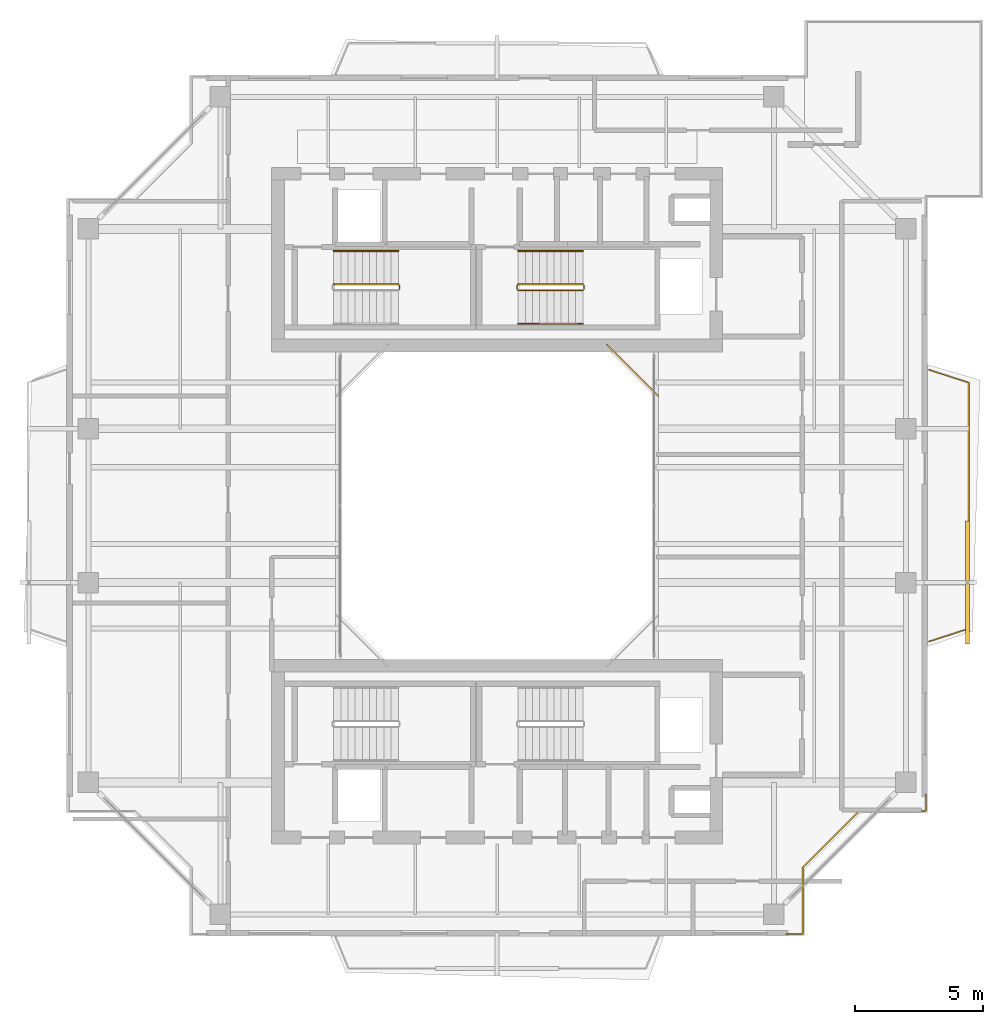
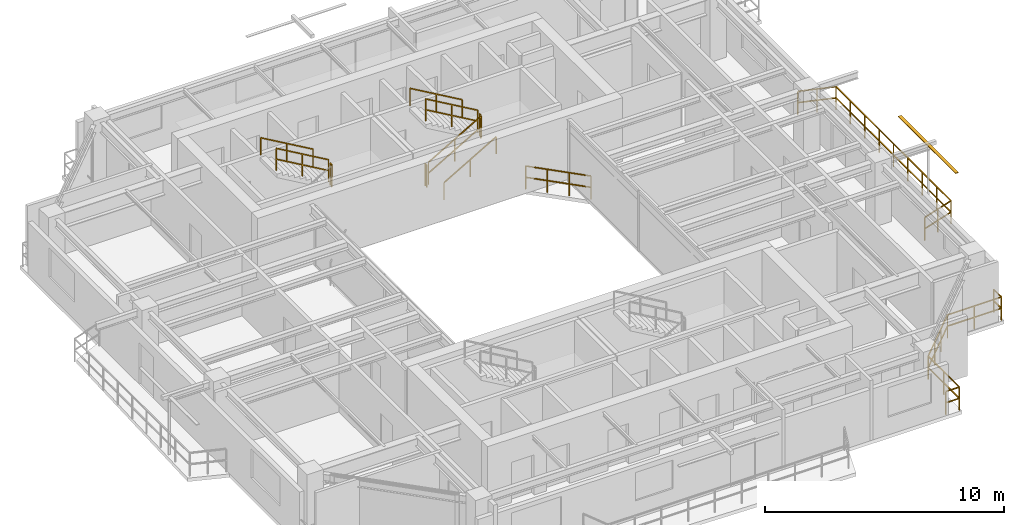
# One storey, part 15 of 16: 12 railings, 1 shading device.
"""IFC4 building model written with IfcOpenShell, lengths in metres."""

from ifc_helpers import new_model, si_unit, direction, frame, origin, origin_2d, place, context, subcontext, project, spatial, rectangle, extrude, source, transform, mapped, material, material_profile, profile_set, type_object, element, save


model = new_model("IFC4")

# Units and contexts
model_context = context("Model", 3, precision=1e-05, world=origin(), true_north=direction((0.0, 1.0)))
body_context = subcontext(model_context, "Body", "Model", "MODEL_VIEW")
ifc_project = project(units=[si_unit("LENGTHUNIT", "METRE"), si_unit("AREAUNIT", "SQUARE_METRE"), si_unit("VOLUMEUNIT", "CUBIC_METRE"), si_unit("PLANEANGLEUNIT", "RADIAN"), si_unit("MASSUNIT", "GRAM", prefix="KILO"), si_unit("THERMODYNAMICTEMPERATUREUNIT", "KELVIN"), si_unit("POWERUNIT", "WATT")], contexts=[model_context])

# Site, building, storey
site_placement = place(None, origin())
site = spatial("IfcSite", under=ifc_project, at=site_placement, CompositionType="ELEMENT")
building_placement = place(site_placement, origin())
building = spatial("IfcBuilding", under=site, at=building_placement, Name="Qiaomeng Ring Towers", CompositionType="ELEMENT")
storey_placement = place(building_placement, frame((0.0, 0.0, 223.0)))
storey = spatial("IfcBuildingStorey", under=building, at=storey_placement, Name="L65", CompositionType="ELEMENT", Elevation=223.0)

# Railings
ifc_material_1 = material(Name="Low-E pale-green laminated safety glass", Category="glass")
railing_type_1 = type_object("IfcRailingType", Name="ARC-RL-BAL1", PredefinedType="BALUSTRADE", material=ifc_material_1)
railing_1_placement = place(storey_placement, frame((25.280029296875, 27.280029296875, 0.0)))
element("IfcRailing", 1, at=railing_1_placement, inside=storey, type_object=railing_type_1, Name="L65 Balustrade ARC-BAL-WELL1-L65-2", PredefinedType="BALUSTRADE", context=body_context, shape_type="SweptSolid", body=[
    extrude(rectangle(XDim=0.048095703125, YDim=0.048095703125, at=origin_2d()), frame((0.0, 0.0, 1.17578125), z_axis=(-0.707106781187, 0.707106781187, 0.0), x_axis=(-0.707106781187, -0.707106781187, 0.0)), (0.0, 0.0, 1.0), 2.828369140625),
    extrude(rectangle(XDim=0.048095703125, YDim=0.048095703125, at=origin_2d()), frame((0.0, 0.0, 0.60009765625), z_axis=(-0.707106781187, 0.707106781187, 0.0), x_axis=(-0.707106781187, -0.707106781187, 0.0)), (0.0, 0.0, 1.0), 2.828369140625),
    extrude(rectangle(XDim=0.0419921875, YDim=0.0419921875, at=origin_2d()), origin(), (0.0, 0.0, 1.0), 1.15185546875),
    extrude(rectangle(XDim=0.0419921875, YDim=0.0419921875, at=origin_2d()), frame((-0.666748046875, 0.666748046875, 0.0)), (0.0, 0.0, 1.0), 1.15185546875),
    extrude(rectangle(XDim=0.0419921875, YDim=0.0419921875, at=origin_2d()), frame((-1.333251953125, 1.333251953125, 0.0)), (0.0, 0.0, 1.0), 1.15185546875),
    extrude(rectangle(XDim=0.0419921875, YDim=0.0419921875, at=origin_2d()), frame((-2.0, 2.0, 0.0)), (0.0, 0.0, 1.0), 1.15185546875),
])
railing_2_placement = place(storey_placement, frame((30.27001953125, 6.280029296875, 0.0)))
element("IfcRailing", 2, at=railing_2_placement, inside=storey, type_object=railing_type_1, Name="L65 Balustrade ARC-BAL-NOTCH1-L65-SE", PredefinedType="BALUSTRADE", context=body_context, shape_type="SweptSolid", body=[
    extrude(rectangle(XDim=0.048095703125, YDim=0.048095703125, at=origin_2d()), frame((0.0, 0.0, 1.17578125), z_axis=(1.0, 0.0, 0.0), x_axis=(0.0, 1.0, 0.0)), (0.0, 0.0, 1.0), 0.64990234375),
    extrude(rectangle(XDim=0.048095703125, YDim=0.048095703125, at=origin_2d()), frame((0.0, 0.0, 0.60009765625), z_axis=(1.0, 0.0, 0.0), x_axis=(0.0, 1.0, 0.0)), (0.0, 0.0, 1.0), 0.64990234375),
    extrude(rectangle(XDim=0.048095703125, YDim=0.048095703125, at=origin_2d()), frame((0.64990234375, 0.0, 1.17578125), z_axis=(0.0, 1.0, 0.0), x_axis=(-1.0, 0.0, 0.0)), (0.0, 0.0, 1.0), 2.599853515625),
    extrude(rectangle(XDim=0.048095703125, YDim=0.048095703125, at=origin_2d()), frame((0.64990234375, 0.0, 0.60009765625), z_axis=(0.0, 1.0, 0.0), x_axis=(-1.0, 0.0, 0.0)), (0.0, 0.0, 1.0), 2.599853515625),
    extrude(rectangle(XDim=0.048095703125, YDim=0.048095703125, at=origin_2d()), frame((0.64990234375, 2.599853515625, 1.17578125), z_axis=(0.707106781187, 0.707106781187, 0.0), x_axis=(-0.707106781187, 0.707106781187, 0.0)), (0.0, 0.0, 1.0), 3.111572265625),
    extrude(rectangle(XDim=0.048095703125, YDim=0.048095703125, at=origin_2d()), frame((0.64990234375, 2.599853515625, 0.60009765625), z_axis=(0.707106781187, 0.707106781187, 0.0), x_axis=(-0.707106781187, 0.707106781187, 0.0)), (0.0, 0.0, 1.0), 3.111572265625),
    extrude(rectangle(XDim=0.048095703125, YDim=0.048095703125, at=origin_2d()), frame((2.85009765625, 4.800048828125, 1.17578125), z_axis=(1.0, 0.0, 0.0), x_axis=(0.0, 1.0, 0.0)), (0.0, 0.0, 1.0), 2.599853515625),
    extrude(rectangle(XDim=0.048095703125, YDim=0.048095703125, at=origin_2d()), frame((2.85009765625, 4.800048828125, 0.60009765625), z_axis=(1.0, 0.0, 0.0), x_axis=(0.0, 1.0, 0.0)), (0.0, 0.0, 1.0), 2.599853515625),
    extrude(rectangle(XDim=0.048095703125, YDim=0.048095703125, at=origin_2d()), frame((5.449951171875, 4.800048828125, 1.17578125), z_axis=(0.0, 1.0, 0.0), x_axis=(-1.0, 0.0, 0.0)), (0.0, 0.0, 1.0), 0.64990234375),
    extrude(rectangle(XDim=0.048095703125, YDim=0.048095703125, at=origin_2d()), frame((5.449951171875, 4.800048828125, 0.60009765625), z_axis=(0.0, 1.0, 0.0), x_axis=(-1.0, 0.0, 0.0)), (0.0, 0.0, 1.0), 0.64990234375),
    extrude(rectangle(XDim=0.0419921875, YDim=0.0419921875, at=origin_2d()), origin(), (0.0, 0.0, 1.0), 1.15185546875),
    extrude(rectangle(XDim=0.0419921875, YDim=0.0419921875, at=origin_2d()), frame((0.64990234375, 0.0, 0.0)), (0.0, 0.0, 1.0), 1.15185546875),
    extrude(rectangle(XDim=0.0419921875, YDim=0.0419921875, at=origin_2d()), frame((0.64990234375, 1.2998046875, 0.0)), (0.0, 0.0, 1.0), 1.15185546875),
    extrude(rectangle(XDim=0.0419921875, YDim=0.0419921875, at=origin_2d()), frame((0.64990234375, 2.599853515625, 0.0)), (0.0, 0.0, 1.0), 1.15185546875),
    extrude(rectangle(XDim=0.0419921875, YDim=0.0419921875, at=origin_2d()), frame((1.38330078125, 3.333251953125, 0.0)), (0.0, 0.0, 1.0), 1.15185546875),
    extrude(rectangle(XDim=0.0419921875, YDim=0.0419921875, at=origin_2d()), frame((2.11669921875, 4.066650390625, 0.0)), (0.0, 0.0, 1.0), 1.15185546875),
    extrude(rectangle(XDim=0.0419921875, YDim=0.0419921875, at=origin_2d()), frame((2.85009765625, 4.800048828125, 0.0)), (0.0, 0.0, 1.0), 1.15185546875),
    extrude(rectangle(XDim=0.0419921875, YDim=0.0419921875, at=origin_2d()), frame((4.14990234375, 4.800048828125, 0.0)), (0.0, 0.0, 1.0), 1.15185546875),
    extrude(rectangle(XDim=0.0419921875, YDim=0.0419921875, at=origin_2d()), frame((5.449951171875, 4.800048828125, 0.0)), (0.0, 0.0, 1.0), 1.15185546875),
    extrude(rectangle(XDim=0.0419921875, YDim=0.0419921875, at=origin_2d()), frame((5.449951171875, 5.449951171875, 0.0)), (0.0, 0.0, 1.0), 1.15185546875),
])
railing_3_placement = place(storey_placement, frame((35.85009765625, 17.699951171875, 0.0)))
element("IfcRailing", 3, at=railing_3_placement, inside=storey, type_object=railing_type_1, Name="L65 Balustrade ARC-BAL-L65-T1-E", PredefinedType="BALUSTRADE", context=body_context, shape_type="SweptSolid", body=[
    extrude(rectangle(XDim=0.048095703125, YDim=0.048095703125, at=origin_2d()), frame((0.0, 0.0, 1.17578125), z_axis=(0.951697313001, 0.307037822468, 0.0), x_axis=(-0.307037822468, 0.951697313001, 0.0)), (0.0, 0.0, 1.0), 1.62841796875),
    extrude(rectangle(XDim=0.048095703125, YDim=0.048095703125, at=origin_2d()), frame((0.0, 0.0, 0.60009765625), z_axis=(0.951697313001, 0.307037822468, 0.0), x_axis=(-0.307037822468, 0.951697313001, 0.0)), (0.0, 0.0, 1.0), 1.62841796875),
    extrude(rectangle(XDim=0.048095703125, YDim=0.048095703125, at=origin_2d()), frame((1.5498046875, 0.5, 1.17578125), z_axis=(0.0, 1.0, 0.0), x_axis=(-1.0, 0.0, 0.0)), (0.0, 0.0, 1.0), 9.60009765625),
    extrude(rectangle(XDim=0.048095703125, YDim=0.048095703125, at=origin_2d()), frame((1.5498046875, 0.5, 0.60009765625), z_axis=(0.0, 1.0, 0.0), x_axis=(-1.0, 0.0, 0.0)), (0.0, 0.0, 1.0), 9.60009765625),
    extrude(rectangle(XDim=0.048095703125, YDim=0.048095703125, at=origin_2d()), frame((1.5498046875, 10.10009765625, 1.17578125), z_axis=(-0.951697313001, 0.307037822468, 0.0), x_axis=(-0.307037822468, -0.951697313001, 0.0)), (0.0, 0.0, 1.0), 1.62841796875),
    extrude(rectangle(XDim=0.048095703125, YDim=0.048095703125, at=origin_2d()), frame((1.5498046875, 10.10009765625, 0.60009765625), z_axis=(-0.951697313001, 0.307037822468, 0.0), x_axis=(-0.307037822468, -0.951697313001, 0.0)), (0.0, 0.0, 1.0), 1.62841796875),
    extrude(rectangle(XDim=0.0419921875, YDim=0.0419921875, at=origin_2d()), origin(), (0.0, 0.0, 1.0), 1.15185546875),
    extrude(rectangle(XDim=0.0419921875, YDim=0.0419921875, at=origin_2d()), frame((0.77490234375, 0.25, 0.0)), (0.0, 0.0, 1.0), 1.15185546875),
    extrude(rectangle(XDim=0.0419921875, YDim=0.0419921875, at=origin_2d()), frame((1.5498046875, 0.5, 0.0)), (0.0, 0.0, 1.0), 1.15185546875),
    extrude(rectangle(XDim=0.0419921875, YDim=0.0419921875, at=origin_2d()), frame((1.5498046875, 1.699951171875, 0.0)), (0.0, 0.0, 1.0), 1.15185546875),
    extrude(rectangle(XDim=0.0419921875, YDim=0.0419921875, at=origin_2d()), frame((1.5498046875, 2.89990234375, 0.0)), (0.0, 0.0, 1.0), 1.15185546875),
    extrude(rectangle(XDim=0.0419921875, YDim=0.0419921875, at=origin_2d()), frame((1.5498046875, 4.10009765625, 0.0)), (0.0, 0.0, 1.0), 1.15185546875),
    extrude(rectangle(XDim=0.0419921875, YDim=0.0419921875, at=origin_2d()), frame((1.5498046875, 5.300048828125, 0.0)), (0.0, 0.0, 1.0), 1.15185546875),
    extrude(rectangle(XDim=0.0419921875, YDim=0.0419921875, at=origin_2d()), frame((1.5498046875, 6.5, 0.0)), (0.0, 0.0, 1.0), 1.15185546875),
    extrude(rectangle(XDim=0.0419921875, YDim=0.0419921875, at=origin_2d()), frame((1.5498046875, 7.7001953125, 0.0)), (0.0, 0.0, 1.0), 1.15185546875),
    extrude(rectangle(XDim=0.0419921875, YDim=0.0419921875, at=origin_2d()), frame((1.5498046875, 8.900146484375, 0.0)), (0.0, 0.0, 1.0), 1.15185546875),
    extrude(rectangle(XDim=0.0419921875, YDim=0.0419921875, at=origin_2d()), frame((1.5498046875, 10.10009765625, 0.0)), (0.0, 0.0, 1.0), 1.15185546875),
    extrude(rectangle(XDim=0.0419921875, YDim=0.0419921875, at=origin_2d()), frame((0.77490234375, 10.35009765625, 0.0)), (0.0, 0.0, 1.0), 1.15185546875),
    extrude(rectangle(XDim=0.0419921875, YDim=0.0419921875, at=origin_2d()), frame((0.0, 10.60009765625, 0.0)), (0.0, 0.0, 1.0), 1.15185546875),
])
ifc_material_2 = material(Name="Galvanised steel", Category="steel")
railing_type_2 = type_object("IfcRailingType", Name="ARC-RL-GUARD", PredefinedType="GUARDRAIL", material=ifc_material_2)
railing_4_placement = place(storey_placement, frame((15.18994140625, 31.449951171875, 1.625)))
element("IfcRailing", 4, at=railing_4_placement, inside=storey, type_object=railing_type_2, Name="L65 ST1 stair guard 2", PredefinedType="GUARDRAIL", context=body_context, shape_type="SweptSolid", body=[
    extrude(rectangle(XDim=0.048095703125, YDim=0.048095703125, at=origin_2d()), frame((0.0, 0.0, 1.1259765625), z_axis=(0.0, 1.0, 0.0), x_axis=(-1.0, 0.0, 0.0)), (0.0, 0.0, 1.0), 0.14013671875),
    extrude(rectangle(XDim=0.048095703125, YDim=0.048095703125, at=origin_2d()), frame((0.0, 0.0, 0.574951171875), z_axis=(0.0, 1.0, 0.0), x_axis=(-1.0, 0.0, 0.0)), (0.0, 0.0, 1.0), 0.14013671875),
    extrude(rectangle(XDim=0.0419921875, YDim=0.0419921875, at=origin_2d()), origin(), (0.0, 0.0, 1.0), 1.101806640625),
    extrude(rectangle(XDim=0.0419921875, YDim=0.0419921875, at=origin_2d()), frame((0.0, 0.14013671875, 0.0)), (0.0, 0.0, 1.0), 1.101806640625),
])
railing_5_placement = place(storey_placement, frame((15.139892578125, 31.639892578125, 1.78759765625)))
element("IfcRailing", 5, at=railing_5_placement, inside=storey, type_object=railing_type_2, Name="L65 ST1 stair guard 3", PredefinedType="GUARDRAIL", context=body_context, shape_type="SweptSolid", body=[
    extrude(rectangle(XDim=0.048095703125, YDim=0.048095703125, at=origin_2d()), frame((0.0, 0.0, 1.1259765625), z_axis=(-0.864892226395, 0.0, 0.501957604506), x_axis=(0.0, -1.0, 0.0)), (0.0, 0.0, 1.0), 2.913330078125),
    extrude(rectangle(XDim=0.048095703125, YDim=0.048095703125, at=origin_2d()), frame((0.0, 0.0, 0.574951171875), z_axis=(-0.864892226395, 0.0, 0.501957604506), x_axis=(0.0, -1.0, 0.0)), (0.0, 0.0, 1.0), 2.913330078125),
    extrude(rectangle(XDim=0.0419921875, YDim=0.0419921875, at=origin_2d()), origin(), (0.0, 0.0, 1.0), 1.101806640625),
    extrude(rectangle(XDim=0.0419921875, YDim=0.0419921875, at=origin_2d()), frame((-1.259765625, 0.0, 0.731201171875)), (0.0, 0.0, 1.0), 1.101806640625),
    extrude(rectangle(XDim=0.0419921875, YDim=0.0419921875, at=origin_2d()), frame((-2.519775390625, 0.0, 1.46240234375)), (0.0, 0.0, 1.0), 1.101806640625),
])
railing_6_placement = place(storey_placement, frame((19.820068359375, 31.39990234375, 0.16259765625)))
element("IfcRailing", 6, at=railing_6_placement, inside=storey, type_object=railing_type_2, Name="L65 ST2 stair guard 1", PredefinedType="GUARDRAIL", context=body_context, shape_type="SweptSolid", body=[
    extrude(rectangle(XDim=0.048095703125, YDim=0.048095703125, at=origin_2d()), frame((0.0, 0.0, 1.1259765625), z_axis=(0.864913338283, 0.0, 0.50192122615), x_axis=(0.0, 1.0, 0.0)), (0.0, 0.0, 1.0), 2.91357421875),
    extrude(rectangle(XDim=0.048095703125, YDim=0.048095703125, at=origin_2d()), frame((0.0, 0.0, 0.574951171875), z_axis=(0.864913338283, 0.0, 0.50192122615), x_axis=(0.0, 1.0, 0.0)), (0.0, 0.0, 1.0), 2.91357421875),
    extrude(rectangle(XDim=0.0419921875, YDim=0.0419921875, at=origin_2d()), origin(), (0.0, 0.0, 1.0), 1.101806640625),
    extrude(rectangle(XDim=0.0419921875, YDim=0.0419921875, at=origin_2d()), frame((1.260009765625, 0.0, 0.731201171875)), (0.0, 0.0, 1.0), 1.101806640625),
    extrude(rectangle(XDim=0.0419921875, YDim=0.0419921875, at=origin_2d()), frame((2.52001953125, 0.0, 1.46240234375)), (0.0, 0.0, 1.0), 1.101806640625),
])
railing_7_placement = place(storey_placement, frame((22.389892578125, 31.449951171875, 1.625)))
element("IfcRailing", 7, at=railing_7_placement, inside=storey, type_object=railing_type_2, Name="L65 ST2 stair guard 2", PredefinedType="GUARDRAIL", context=body_context, shape_type="SweptSolid", body=[
    extrude(rectangle(XDim=0.048095703125, YDim=0.048095703125, at=origin_2d()), frame((0.0, 0.0, 1.1259765625), z_axis=(0.0, 1.0, 0.0), x_axis=(-1.0, 0.0, 0.0)), (0.0, 0.0, 1.0), 0.14013671875),
    extrude(rectangle(XDim=0.048095703125, YDim=0.048095703125, at=origin_2d()), frame((0.0, 0.0, 0.574951171875), z_axis=(0.0, 1.0, 0.0), x_axis=(-1.0, 0.0, 0.0)), (0.0, 0.0, 1.0), 0.14013671875),
    extrude(rectangle(XDim=0.0419921875, YDim=0.0419921875, at=origin_2d()), origin(), (0.0, 0.0, 1.0), 1.101806640625),
    extrude(rectangle(XDim=0.0419921875, YDim=0.0419921875, at=origin_2d()), frame((0.0, 0.14013671875, 0.0)), (0.0, 0.0, 1.0), 1.101806640625),
])
railing_8_placement = place(storey_placement, frame((22.340087890625, 31.639892578125, 1.78759765625)))
element("IfcRailing", 8, at=railing_8_placement, inside=storey, type_object=railing_type_2, Name="L65 ST2 stair guard 3", PredefinedType="GUARDRAIL", context=body_context, shape_type="SweptSolid", body=[
    extrude(rectangle(XDim=0.048095703125, YDim=0.048095703125, at=origin_2d()), frame((0.0, 0.0, 1.1259765625), z_axis=(-0.864913338283, 0.0, 0.50192122615), x_axis=(0.0, -1.0, 0.0)), (0.0, 0.0, 1.0), 2.91357421875),
    extrude(rectangle(XDim=0.048095703125, YDim=0.048095703125, at=origin_2d()), frame((0.0, 0.0, 0.574951171875), z_axis=(-0.864913338283, 0.0, 0.50192122615), x_axis=(0.0, -1.0, 0.0)), (0.0, 0.0, 1.0), 2.91357421875),
    extrude(rectangle(XDim=0.0419921875, YDim=0.0419921875, at=origin_2d()), origin(), (0.0, 0.0, 1.0), 1.101806640625),
    extrude(rectangle(XDim=0.0419921875, YDim=0.0419921875, at=origin_2d()), frame((-1.260009765625, 0.0, 0.731201171875)), (0.0, 0.0, 1.0), 1.101806640625),
    extrude(rectangle(XDim=0.0419921875, YDim=0.0419921875, at=origin_2d()), frame((-2.52001953125, 0.0, 1.46240234375)), (0.0, 0.0, 1.0), 1.101806640625),
])
railing_9_placement = place(storey_placement, frame((19.77001953125, 31.449951171875, 0.0)))
element("IfcRailing", 9, at=railing_9_placement, inside=storey, type_object=railing_type_2, Name="L65 ST2 stair guard 4", PredefinedType="GUARDRAIL", context=body_context, shape_type="SweptSolid", body=[
    extrude(rectangle(XDim=0.048095703125, YDim=0.048095703125, at=origin_2d()), frame((0.0, 0.0, 1.1259765625), z_axis=(0.0, 1.0, 0.0), x_axis=(-1.0, 0.0, 0.0)), (0.0, 0.0, 1.0), 0.14013671875),
    extrude(rectangle(XDim=0.048095703125, YDim=0.048095703125, at=origin_2d()), frame((0.0, 0.0, 0.574951171875), z_axis=(0.0, 1.0, 0.0), x_axis=(-1.0, 0.0, 0.0)), (0.0, 0.0, 1.0), 0.14013671875),
    extrude(rectangle(XDim=0.0419921875, YDim=0.0419921875, at=origin_2d()), origin(), (0.0, 0.0, 1.0), 1.101806640625),
    extrude(rectangle(XDim=0.0419921875, YDim=0.0419921875, at=origin_2d()), frame((0.0, 0.14013671875, 0.0)), (0.0, 0.0, 1.0), 1.101806640625),
])
ifc_material_3 = material(Name="Stainless steel 316", Category="steel")
railing_type_3 = type_object("IfcRailingType", Name="ARC-RL-HAND", PredefinedType="HANDRAIL", material=ifc_material_3)
railing_10_placement = place(storey_placement, frame((15.139892578125, 32.93994140625, 1.78759765625)))
element("IfcRailing", 10, at=railing_10_placement, inside=storey, type_object=railing_type_3, Name="L65 ST1 stair handrail 2", PredefinedType="HANDRAIL", context=body_context, shape_type="SweptSolid", body=[
    extrude(rectangle(XDim=0.048095703125, YDim=0.048095703125, at=origin_2d()), frame((0.0, 0.0, 0.8759765625), z_axis=(-0.864892226395, 0.0, 0.501957604506), x_axis=(0.0, -1.0, 0.0)), (0.0, 0.0, 1.0), 2.913330078125),
    extrude(rectangle(XDim=0.0419921875, YDim=0.0419921875, at=origin_2d()), origin(), (0.0, 0.0, 1.0), 0.851806640625),
    extrude(rectangle(XDim=0.0419921875, YDim=0.0419921875, at=origin_2d()), frame((-1.259765625, 0.0, 0.731201171875)), (0.0, 0.0, 1.0), 0.851806640625),
    extrude(rectangle(XDim=0.0419921875, YDim=0.0419921875, at=origin_2d()), frame((-2.519775390625, 0.0, 1.46240234375)), (0.0, 0.0, 1.0), 0.851806640625),
])
railing_11_placement = place(storey_placement, frame((19.820068359375, 30.10009765625, 0.16259765625)))
element("IfcRailing", 11, at=railing_11_placement, inside=storey, type_object=railing_type_3, Name="L65 ST2 stair handrail 1", PredefinedType="HANDRAIL", context=body_context, shape_type="SweptSolid", body=[
    extrude(rectangle(XDim=0.048095703125, YDim=0.048095703125, at=origin_2d()), frame((0.0, 0.0, 0.8759765625), z_axis=(0.864913338283, 0.0, 0.50192122615), x_axis=(0.0, 1.0, 0.0)), (0.0, 0.0, 1.0), 2.91357421875),
    extrude(rectangle(XDim=0.0419921875, YDim=0.0419921875, at=origin_2d()), origin(), (0.0, 0.0, 1.0), 0.851806640625),
    extrude(rectangle(XDim=0.0419921875, YDim=0.0419921875, at=origin_2d()), frame((1.260009765625, 0.0, 0.731201171875)), (0.0, 0.0, 1.0), 0.851806640625),
    extrude(rectangle(XDim=0.0419921875, YDim=0.0419921875, at=origin_2d()), frame((2.52001953125, 0.0, 1.46240234375)), (0.0, 0.0, 1.0), 0.851806640625),
])
railing_12_placement = place(storey_placement, frame((22.340087890625, 32.93994140625, 1.78759765625)))
element("IfcRailing", 12, at=railing_12_placement, inside=storey, type_object=railing_type_3, Name="L65 ST2 stair handrail 2", PredefinedType="HANDRAIL", context=body_context, shape_type="SweptSolid", body=[
    extrude(rectangle(XDim=0.048095703125, YDim=0.048095703125, at=origin_2d()), frame((0.0, 0.0, 0.8759765625), z_axis=(-0.864913338283, 0.0, 0.50192122615), x_axis=(0.0, -1.0, 0.0)), (0.0, 0.0, 1.0), 2.91357421875),
    extrude(rectangle(XDim=0.0419921875, YDim=0.0419921875, at=origin_2d()), origin(), (0.0, 0.0, 1.0), 0.851806640625),
    extrude(rectangle(XDim=0.0419921875, YDim=0.0419921875, at=origin_2d()), frame((-1.260009765625, 0.0, 0.731201171875)), (0.0, 0.0, 1.0), 0.851806640625),
    extrude(rectangle(XDim=0.0419921875, YDim=0.0419921875, at=origin_2d()), frame((-2.52001953125, 0.0, 1.46240234375)), (0.0, 0.0, 1.0), 0.851806640625),
])

# Shading device
ifc_material_4 = material(Name="Fluorocarbon dark-grey aluminium", Category="aluminium")
ifc_material_profile = material_profile(ifc_material_4, rectangle(XDim=0.14990234375, YDim=0.034912109375, at=origin_2d()), Name="LV BLADE 150x35")
ifc_profile_set = profile_set([ifc_material_profile], Name="Fluorocarbon dark-grey aluminium")
shading_device_type = type_object("IfcShadingDeviceType", Name="ARC-SHD-SUN", PredefinedType="AWNING", material=ifc_profile_set)
shared_shape = source(origin(), body_context, "Body", "SweptSolid", [
    extrude(rectangle(XDim=0.14990234375, YDim=0.034912109375, at=origin_2d()), origin(), (0.0, 0.0, 1.0), 4.7998046875),
])
shading_device_placement = place(storey_placement, frame((37.35009765625, 17.60009765625, 2.969970703125), z_axis=(0.0, 1.0, 0.0), x_axis=(-1.0, 0.0, 0.0)))
element("IfcShadingDevice", 13, at=shading_device_placement, inside=storey, type_object=shading_device_type, Name="L65 Ventilated Outer-Skin Sunshade E", PredefinedType="AWNING", context=body_context, shape_type="MappedRepresentation", body=[
    mapped(shared_shape, transform((0.0, 0.0, 0.0), x_axis=(1.0, 0.0, 0.0), y_axis=(0.0, 1.0, 0.0), z_axis=(0.0, 0.0, 1.0), scale=1.0)),
])

save(model, "model.ifc")
